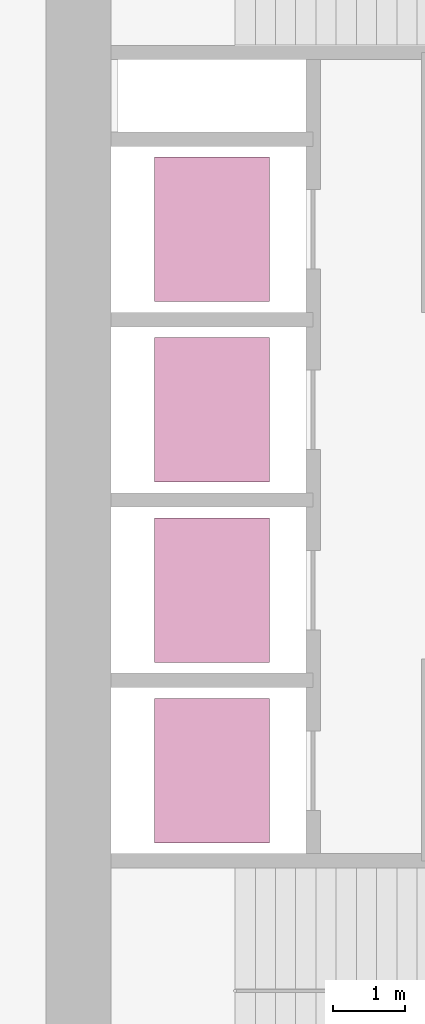
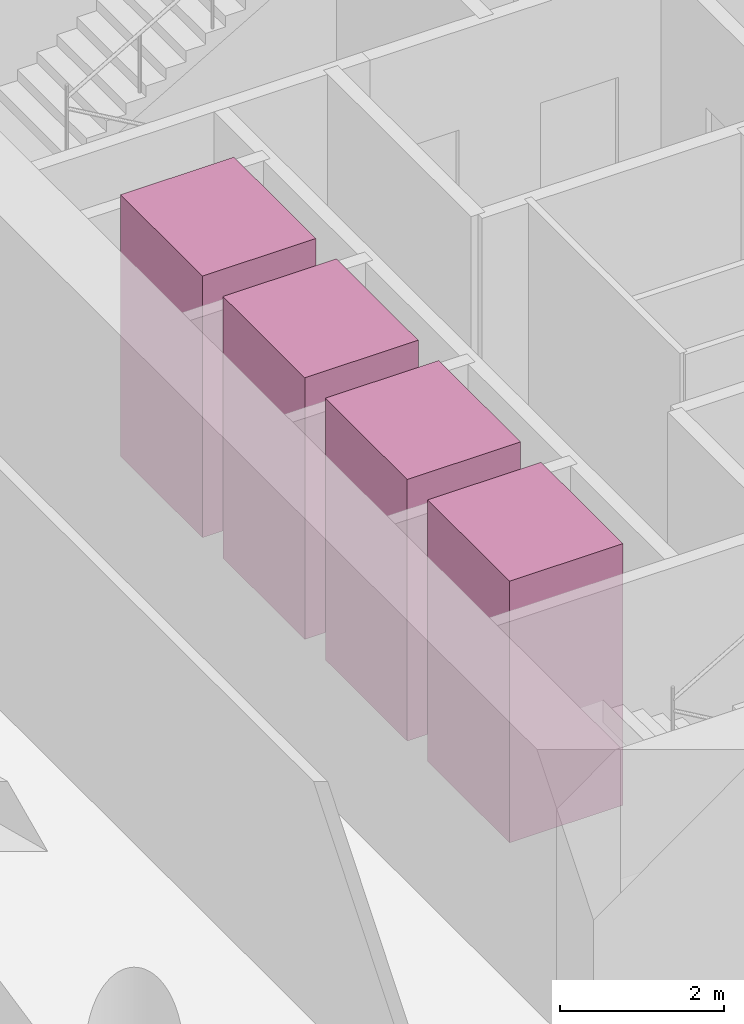
# One storey, part 10 of 10: 4 transport elements.
"""IFC4 building model written with IfcOpenShell, lengths in metres."""

from ifc_helpers import new_model, si_unit, direction, frame, origin, origin_2d, place, context, subcontext, project, spatial, rectangle, extrude, material, type_object, element, save


model = new_model("IFC4")

# Units and contexts
model_context = context("Model", 3, precision=1e-05, world=origin(), true_north=direction((0.0, 1.0)))
body_context = subcontext(model_context, "Body", "Model", "MODEL_VIEW")
ifc_project = project(units=[si_unit("LENGTHUNIT", "METRE"), si_unit("AREAUNIT", "SQUARE_METRE"), si_unit("VOLUMEUNIT", "CUBIC_METRE"), si_unit("PLANEANGLEUNIT", "RADIAN"), si_unit("MASSUNIT", "GRAM", prefix="KILO")], contexts=[model_context])

# Site, building, storey
site_placement = place(None, origin())
site = spatial("IfcSite", under=ifc_project, at=site_placement, CompositionType="ELEMENT")
building_placement = place(site_placement, origin())
building = spatial("IfcBuilding", under=site, at=building_placement, Name="Qaws Garden Tower", CompositionType="ELEMENT")
storey_placement = place(building_placement, frame((0.0, 0.0, 109.5)))
storey = spatial("IfcBuildingStorey", under=building, at=storey_placement, Name="L27", CompositionType="ELEMENT", Elevation=109.5)

# Transport elements
ifc_material = material(Name="Stainless steel 316", Category="steel")
transport_element_type = type_object("IfcTransportElementType", Name="Passenger lift car 2000x1600 1800 kg", PredefinedType="ELEVATOR", material=ifc_material)
for number, where, z_axis, x_axis, name in (
    (1, (10.300048828125, 13.64990234375, 0.0), (0.0, 0.0, 1.0), (1.0, 0.0, 0.0), "LR1"),
    (2, (10.300048828125, 16.14990234375, 0.0), (0.0, 0.0, 1.0), (1.0, 0.0, 0.0), "LR2"),
    (3, (10.300048828125, 18.64990234375, 0.0), (0.0, 0.0, 1.0), (1.0, 0.0, 0.0), "LR3"),
    (4, (10.300048828125, 21.14990234375, 0.0), (0.0, 0.0, 1.0), (1.0, 0.0, 0.0), "LR4"),
):
    element("IfcTransportElement", number, at=place(storey_placement, frame(where, z_axis=z_axis, x_axis=x_axis)), inside=storey, type_object=transport_element_type, Name=name, PredefinedType="ELEVATOR", context=body_context, shape_type="SweptSolid", body=[
        extrude(rectangle(XDim=1.60009765625, YDim=2.0, at=origin_2d()), origin(), (0.0, 0.0, 1.0), 3.89990234375),
    ])

save(model, "model.ifc")
